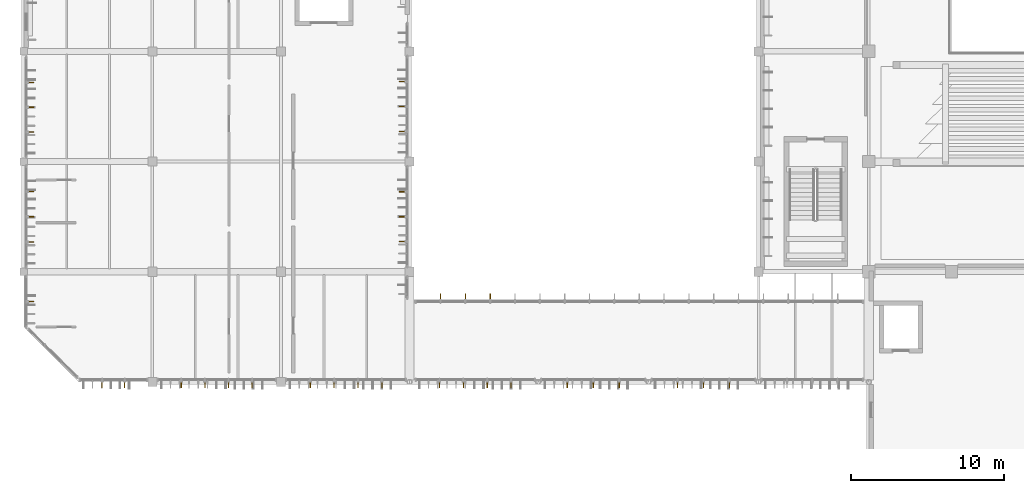
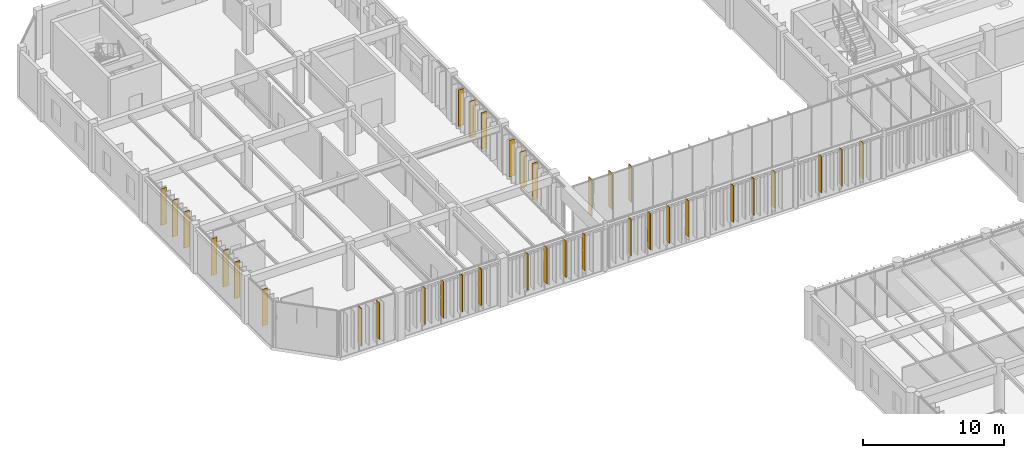
# One storey, part 107 of 122: 36 shading devices.
"""IFC4 building model written with IfcOpenShell, lengths in metres."""

from ifc_helpers import new_model, si_unit, direction, frame, origin, origin_2d, place, context, subcontext, project, spatial, rectangle, extrude, material, layer, layer_set, type_object, element, save


model = new_model("IFC4")

# Units and contexts
model_context = context("Model", 3, precision=1e-05, world=origin(), true_north=direction((0.0, 1.0)))
body_context = subcontext(model_context, "Body", "Model", "MODEL_VIEW")
ifc_project = project(units=[si_unit("LENGTHUNIT", "METRE"), si_unit("AREAUNIT", "SQUARE_METRE"), si_unit("VOLUMEUNIT", "CUBIC_METRE"), si_unit("PLANEANGLEUNIT", "RADIAN"), si_unit("MASSUNIT", "GRAM", prefix="KILO")], contexts=[model_context])

# Site, building, storey
site_placement = place(None, origin())
site = spatial("IfcSite", under=ifc_project, at=site_placement, CompositionType="ELEMENT")
building_placement = place(site_placement, origin())
building = spatial("IfcBuilding", under=site, at=building_placement, Name="Tazoul Stagehouse", CompositionType="ELEMENT")
storey_placement = place(building_placement, frame((0.0, 0.0, 4.800048828125)))
storey = spatial("IfcBuildingStorey", under=building, at=storey_placement, Name="L01", CompositionType="ELEMENT", Elevation=4.800048828125)

# Shading devices
ifc_material = material(Name="Anodised Bronze Aluminium 6063-T6", Category="aluminium")
ifc_layer_1 = layer(ifc_material, 0.050048828125, Name="Anodised Bronze Aluminium 6063-T6")
ifc_layer_set_1 = layer_set([ifc_layer_1], Name="Anodised Bronze Aluminium 6063-T6")
shading_device_type_1 = type_object("IfcShadingDeviceType", Name="Angled Acoustic Sun-Screen Blade 460", PredefinedType="USERDEFINED", material=ifc_layer_set_1)
for number, where, z_axis, x_axis, name in (
    (1, (7.5166015625, 44.469970703125, 0.75), (0.0, 0.0, 1.0), (1.0, 0.0, 0.0), "Shading Louvre FIN-02 CW-V6-S-L01-B1-SHD01"),
    (2, (12.68994140625, 44.469970703125, 0.75), (0.0, 0.0, 1.0), (1.0, 0.0, 0.0), "Shading Louvre FIN-02 CW-V6-S-L01-B2-SHD01"),
    (3, (15.77001953125, 44.469970703125, 0.75), (0.0, 0.0, 1.0), (1.0, 0.0, 0.0), "Shading Louvre FIN-02 CW-V6-S-L01-B2-SHD03"),
    (4, (21.110107421875, 44.469970703125, 0.75), (0.0, 0.0, 1.0), (1.0, 0.0, 0.0), "Shading Louvre FIN-02 CW-V6-S-L01-B3-SHD01"),
    (5, (24.22998046875, 44.469970703125, 0.75), (0.0, 0.0, 1.0), (1.0, 0.0, 0.0), "Shading Louvre FIN-02 CW-V6-S-L01-B3-SHD03"),
    (6, (2.830078125, 49.85009765625, 0.75), (0.0, 0.0, 1.0), (0.0, 1.0, 0.0), "Shading Louvre FIN-02 CW-V6-W1-L01-B1-SHD01"),
    (7, (2.830078125, 53.75, 0.75), (0.0, 0.0, 1.0), (0.0, 1.0, 0.0), "Shading Louvre FIN-02 CW-V6-W1-L01-B2-SHD01"),
    (8, (2.830078125, 57.050048828125, 0.75), (0.0, 0.0, 1.0), (0.0, 1.0, 0.0), "Shading Louvre FIN-02 CW-V6-W1-L01-B2-SHD03"),
    (9, (2.830078125, 60.925048828125, 0.75), (0.0, 0.0, 1.0), (0.0, 1.0, 0.0), "Shading Louvre FIN-02 CW-V6-W1-L01-B3-SHD01"),
    (10, (2.830078125, 64.175048828125, 0.75), (0.0, 0.0, 1.0), (0.0, 1.0, 0.0), "Shading Louvre FIN-02 CW-V6-W1-L01-B3-SHD03"),
    (11, (27.169921875, 53.77490234375, 0.75), (0.0, 0.0, 1.0), (0.0, 1.0, 0.0), "Shading Louvre FIN-02 CW-V6-E1-L01-B2-SHD01"),
    (12, (27.169921875, 57.02490234375, 0.75), (0.0, 0.0, 1.0), (0.0, 1.0, 0.0), "Shading Louvre FIN-02 CW-V6-E1-L01-B2-SHD03"),
    (13, (27.169921875, 60.97509765625, 0.75), (0.0, 0.0, 1.0), (0.0, 1.0, 0.0), "Shading Louvre FIN-02 CW-V6-E1-L01-B3-SHD01"),
    (14, (27.169921875, 64.22509765625, 0.75), (0.0, 0.0, 1.0), (0.0, 1.0, 0.0), "Shading Louvre FIN-02 CW-V6-E1-L01-B3-SHD03"),
    (15, (29.5576171875, 44.469970703125, 0.75), (0.0, 0.0, 1.0), (1.0, 0.0, 0.0), "Shading Louvre FIN-02 CW-WLNK-S-L01-B1-SHD01"),
    (16, (32.6728515625, 44.469970703125, 0.75), (0.0, 0.0, 1.0), (1.0, 0.0, 0.0), "Shading Louvre FIN-02 CW-WLNK-S-L01-B1-SHD03"),
    (17, (37.906005859375, 44.469970703125, 0.75), (0.0, 0.0, 1.0), (1.0, 0.0, 0.0), "Shading Louvre FIN-02 CW-WLNK-S-L01-B2-SHD01"),
    (18, (41.294189453125, 44.469970703125, 0.75), (0.0, 0.0, 1.0), (1.0, 0.0, 0.0), "Shading Louvre FIN-02 CW-WLNK-S-L01-B2-SHD03"),
    (19, (45.10595703125, 44.469970703125, 0.75), (0.0, 0.0, 1.0), (1.0, 0.0, 0.0), "Shading Louvre FIN-02 CW-WLNK-S-L01-B3-SHD01"),
    (20, (48.493896484375, 44.469970703125, 0.75), (0.0, 0.0, 1.0), (1.0, 0.0, 0.0), "Shading Louvre FIN-02 CW-WLNK-S-L01-B3-SHD03"),
    (21, (29.622314453125, 50.1298828125, 0.75), (0.0, 0.0, 1.0), (1.0, 0.0, 0.0), "Shading Louvre FIN-02 CW-WLNK-N-L01-SHD01"),
    (22, (32.86669921875, 50.1298828125, 0.75), (0.0, 0.0, 1.0), (1.0, 0.0, 0.0), "Shading Louvre FIN-02 CW-WLNK-N-L01-SHD03"),
):
    element("IfcShadingDevice", number, at=place(storey_placement, frame(where, z_axis=z_axis, x_axis=x_axis)), inside=storey, type_object=shading_device_type_1, Name=name, ObjectType="FIN", PredefinedType="USERDEFINED", context=body_context, shape_type="SweptSolid", body=[
        extrude(rectangle(XDim=0.044921875, YDim=0.4599609375, at=origin_2d()), origin(), (0.0, 0.0, 1.0), 3.14990234375),
    ])
ifc_layer_2 = layer(ifc_material, 0.044921875, Name="Anodised Bronze Aluminium 6063-T6")
ifc_layer_set_2 = layer_set([ifc_layer_2], Name="Anodised Bronze Aluminium 6063-T6")
shading_device_type_2 = type_object("IfcShadingDeviceType", Name="Vertical Extruded Terracotta-Bronze Louvre 460", PredefinedType="JALOUSIE", material=ifc_layer_set_2)
for number, where, z_axis, x_axis, name in (
    (23, (8.9833984375, 44.469970703125, 0.75), (0.0, 0.0, 1.0), (1.0, 0.0, 0.0), "Shading Louvre FIN-01 CW-V6-S-L01-B1-SHD02"),
    (24, (14.22998046875, 44.469970703125, 0.75), (0.0, 0.0, 1.0), (1.0, 0.0, 0.0), "Shading Louvre FIN-01 CW-V6-S-L01-B2-SHD02"),
    (25, (17.31005859375, 44.469970703125, 0.75), (0.0, 0.0, 1.0), (1.0, 0.0, 0.0), "Shading Louvre FIN-01 CW-V6-S-L01-B2-SHD04"),
    (26, (22.669921875, 44.469970703125, 0.75), (0.0, 0.0, 1.0), (1.0, 0.0, 0.0), "Shading Louvre FIN-01 CW-V6-S-L01-B3-SHD02"),
    (27, (25.7900390625, 44.469970703125, 0.75), (0.0, 0.0, 1.0), (1.0, 0.0, 0.0), "Shading Louvre FIN-01 CW-V6-S-L01-B3-SHD04"),
    (28, (2.830078125, 55.39990234375, 0.75), (0.0, 0.0, 1.0), (0.0, 1.0, 0.0), "Shading Louvre FIN-01 CW-V6-W1-L01-B2-SHD02"),
    (29, (2.830078125, 62.550048828125, 0.75), (0.0, 0.0, 1.0), (0.0, 1.0, 0.0), "Shading Louvre FIN-01 CW-V6-W1-L01-B3-SHD02"),
    (30, (27.169921875, 55.39990234375, 0.75), (0.0, 0.0, 1.0), (0.0, 1.0, 0.0), "Shading Louvre FIN-01 CW-V6-E1-L01-B2-SHD02"),
    (31, (27.169921875, 62.60009765625, 0.75), (0.0, 0.0, 1.0), (0.0, 1.0, 0.0), "Shading Louvre FIN-01 CW-V6-E1-L01-B3-SHD02"),
    (32, (31.115234375, 44.469970703125, 0.75), (0.0, 0.0, 1.0), (1.0, 0.0, 0.0), "Shading Louvre FIN-01 CW-WLNK-S-L01-B1-SHD02"),
    (33, (34.23046875, 44.469970703125, 0.75), (0.0, 0.0, 1.0), (1.0, 0.0, 0.0), "Shading Louvre FIN-01 CW-WLNK-S-L01-B1-SHD04"),
    (34, (39.60009765625, 44.469970703125, 0.75), (0.0, 0.0, 1.0), (1.0, 0.0, 0.0), "Shading Louvre FIN-01 CW-WLNK-S-L01-B2-SHD02"),
    (35, (46.800048828125, 44.469970703125, 0.75), (0.0, 0.0, 1.0), (1.0, 0.0, 0.0), "Shading Louvre FIN-01 CW-WLNK-S-L01-B3-SHD02"),
    (36, (31.244384765625, 50.1298828125, 0.75), (0.0, 0.0, 1.0), (1.0, 0.0, 0.0), "Shading Louvre FIN-01 CW-WLNK-N-L01-SHD02"),
):
    element("IfcShadingDevice", number, at=place(storey_placement, frame(where, z_axis=z_axis, x_axis=x_axis)), inside=storey, type_object=shading_device_type_2, Name=name, PredefinedType="JALOUSIE", context=body_context, shape_type="SweptSolid", body=[
        extrude(rectangle(XDim=0.044921875, YDim=0.4599609375, at=origin_2d()), origin(), (0.0, 0.0, 1.0), 3.14990234375),
    ])

save(model, "model.ifc")
